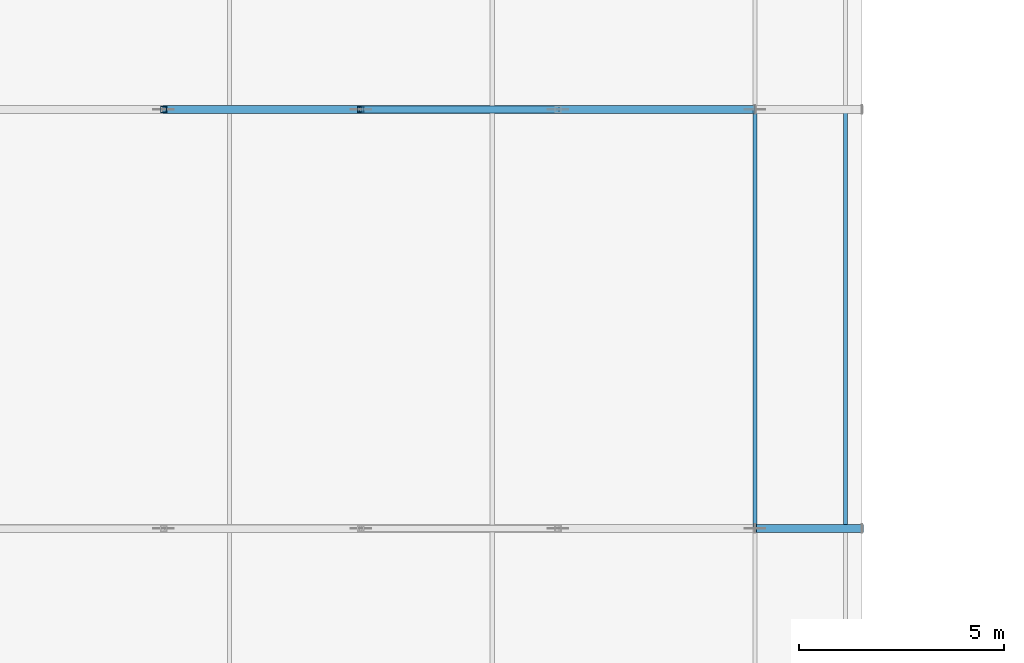
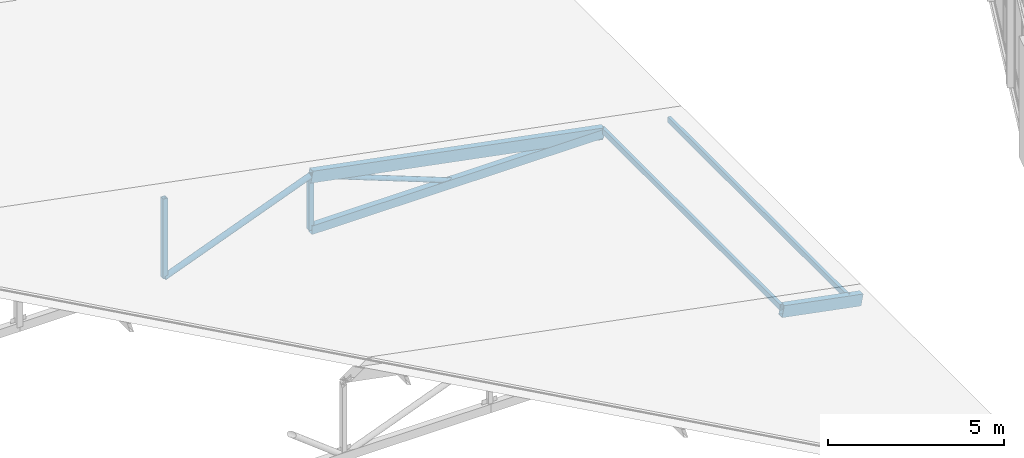
# One storey, part 61 of 200: 9 members.
"""IFC4 building model written with IfcOpenShell, lengths in metres."""

from ifc_helpers import new_model, si_unit, direction, frame, origin, origin_2d, place, context, subcontext, project, spatial, hollow_rectangle, hollow_circle, extrude, material, material_profile, profile_set, type_object, element, save


model = new_model("IFC4")

# Units and contexts
model_context = context("Model", 3, precision=1e-05, world=origin(), true_north=direction((0.0, 1.0)))
body_context = subcontext(model_context, "Body", "Model", "MODEL_VIEW")
ifc_project = project(units=[si_unit("LENGTHUNIT", "METRE"), si_unit("AREAUNIT", "SQUARE_METRE"), si_unit("VOLUMEUNIT", "CUBIC_METRE"), si_unit("PLANEANGLEUNIT", "RADIAN"), si_unit("MASSUNIT", "GRAM", prefix="KILO")], contexts=[model_context])

# Site, building, storey
site_placement = place(None, origin())
site = spatial("IfcSite", under=ifc_project, at=site_placement, CompositionType="ELEMENT")
building_placement = place(site_placement, origin())
building = spatial("IfcBuilding", under=site, at=building_placement, Name="Vondelvale Polytechnic", CompositionType="ELEMENT")
storey_placement = place(building_placement, frame((0.0, 0.0, 13.800048828125)))
storey = spatial("IfcBuildingStorey", under=building, at=storey_placement, Name="L03", CompositionType="ELEMENT", Elevation=13.800048828125)

# Members
ifc_material = material(Name="Steel C350L0 (fy = 350 MPa)", Category="steel")
ifc_material_profile_1 = material_profile(ifc_material, hollow_rectangle(XDim=0.10009765625, YDim=0.199951171875, WallThickness=0.006103515625, at=origin_2d()), Name="200x100x6.0RHS")
ifc_profile_set_1 = profile_set([ifc_material_profile_1], Name="Steel C350L0 (fy = 350 MPa)")
member_type_1 = type_object("IfcMemberType", Name="PURLIN RHS200", PredefinedType="PURLIN", material=ifc_profile_set_1)
for number, where, z_axis, x_axis, name in (
    (1, (48.0, 81.60009765625, -0.31884765625), (0.0, 1.0, 0.0), (-1.0, 0.0, 0.0), "Workshop roof purlin bay 4"),
    (2, (50.199951171875, 81.60009765625, -0.74267578125), (0.0, 1.0, 0.0), (-1.0, 0.0, 0.0), "Workshop roof purlin bay 4"),
):
    element("IfcMember", number, at=place(storey_placement, frame(where, z_axis=z_axis, x_axis=x_axis)), inside=storey, type_object=member_type_1, Name=name, PredefinedType="PURLIN", context=body_context, shape_type="SweptSolid", body=[
        extrude(hollow_rectangle(XDim=0.10009765625, YDim=0.199951171875, WallThickness=0.006103515625, at=origin_2d()), origin(), (0.0, 0.0, 1.0), 10.199951171875),
    ])
ifc_material_profile_2 = material_profile(ifc_material, hollow_rectangle(XDim=0.199951171875, YDim=0.300048828125, WallThickness=0.008056640625, at=origin_2d()), Name="300x200x8.0RHS")
ifc_profile_set_2 = profile_set([ifc_material_profile_2], Name="Steel C350L0 (fy = 350 MPa)")
member_type_2 = type_object("IfcMemberType", Name="ROOF TRUSS BOT CHORD 300RHS", PredefinedType="CHORD", material=ifc_profile_set_2)
member_1_placement = place(storey_placement, frame((38.39990234375, 91.800048828125, -0.420166015625), z_axis=(1.0, 0.0, 0.0), x_axis=(0.0, 1.0, 0.0)))
element("IfcMember", 3, at=member_1_placement, inside=storey, type_object=member_type_2, Name="ROOF TRUSS TR-05 bottom chord 3", PredefinedType="CHORD", context=body_context, shape_type="SweptSolid", body=[
    extrude(hollow_rectangle(XDim=0.199951171875, YDim=0.300048828125, WallThickness=0.008056640625, at=origin_2d()), origin(), (0.0, 0.0, 1.0), 9.60009765625),
])
ifc_material_profile_3 = material_profile(ifc_material, hollow_circle(Radius=0.084228515625, WallThickness=0.00634765625, at=origin_2d()), Name="168.3x6.4CHS")
ifc_profile_set_3 = profile_set([ifc_material_profile_3], Name="Steel C350L0 (fy = 350 MPa)")
member_type_3 = type_object("IfcMemberType", Name="ROOF TRUSS BRACE 168CHS", PredefinedType="BRACE", material=ifc_profile_set_3)
member_2_placement = place(storey_placement, frame((38.39990234375, 91.800048828125, 1.429931640625), z_axis=(0.933089727442, 0.0, -0.359643657726), x_axis=(0.0, 1.0, 0.0)))
element("IfcMember", 4, at=member_2_placement, inside=storey, type_object=member_type_3, Name="ROOF TRUSS TR-05 web diagonal 8", PredefinedType="BRACE", context=body_context, shape_type="SweptSolid", body=[
    extrude(hollow_circle(Radius=0.084228515625, WallThickness=0.00634765625, at=origin_2d()), origin(), (0.0, 0.0, 1.0), 5.144287109375),
])
ifc_material_profile_4 = material_profile(ifc_material, hollow_circle(Radius=0.096923828125, WallThickness=0.00634765625, at=origin_2d()), Name="193.7x6.4CHS")
ifc_profile_set_4 = profile_set([ifc_material_profile_4], Name="Steel C350L0 (fy = 350 MPa)")
member_type_4 = type_object("IfcMemberType", Name="ROOF TRUSS BRACE 193CHS", PredefinedType="BRACE", material=ifc_profile_set_4)
member_3_placement = place(storey_placement, frame((33.60009765625, 91.800048828125, -0.420166015625), z_axis=(0.933083588529, 0.0, 0.359659584632), x_axis=(0.0, 1.0, 0.0)))
element("IfcMember", 5, at=member_3_placement, inside=storey, type_object=member_type_4, Name="ROOF TRUSS TR-05 web diagonal 7", PredefinedType="BRACE", context=body_context, shape_type="SweptSolid", body=[
    extrude(hollow_circle(Radius=0.096923828125, WallThickness=0.00634765625, at=origin_2d()), origin(), (0.0, 0.0, 1.0), 5.14404296875),
])
ifc_material_profile_5 = material_profile(ifc_material, hollow_rectangle(XDim=0.14990234375, YDim=0.14990234375, WallThickness=0.006103515625, at=origin_2d()), Name="150x150x6.0SHS")
ifc_profile_set_5 = profile_set([ifc_material_profile_5], Name="Steel C350L0 (fy = 350 MPa)")
member_type_5 = type_object("IfcMemberType", Name="ROOF TRUSS POST 150SHS", PredefinedType="POST", material=ifc_profile_set_5)
member_4_placement = place(storey_placement, frame((33.60009765625, 91.800048828125, -0.420166015625), z_axis=(0.0, 0.0, 1.0), x_axis=(1.0, 0.0, 0.0)))
element("IfcMember", 6, at=member_4_placement, inside=storey, type_object=member_type_5, Name="ROOF TRUSS TR-05 vertical post 6", PredefinedType="POST", context=body_context, shape_type="SweptSolid", body=[
    extrude(hollow_rectangle(XDim=0.14990234375, YDim=0.14990234375, WallThickness=0.006103515625, at=origin_2d()), origin(), (0.0, 0.0, 1.0), 2.775146484375),
])
member_5_placement = place(storey_placement, frame((38.39990234375, 91.800048828125, -0.420166015625), z_axis=(0.0, 0.0, 1.0), x_axis=(1.0, 0.0, 0.0)))
element("IfcMember", 7, at=member_5_placement, inside=storey, type_object=member_type_5, Name="ROOF TRUSS TR-05 vertical post 7", PredefinedType="POST", context=body_context, shape_type="SweptSolid", body=[
    extrude(hollow_rectangle(XDim=0.14990234375, YDim=0.14990234375, WallThickness=0.006103515625, at=origin_2d()), origin(), (0.0, 0.0, 1.0), 1.85009765625),
])
ifc_material_profile_6 = material_profile(ifc_material, hollow_rectangle(XDim=0.199951171875, YDim=0.39990234375, WallThickness=0.010009765625, at=origin_2d()), Name="400x200x10.0RHS")
ifc_profile_set_6 = profile_set([ifc_material_profile_6], Name="Steel C350L0 (fy = 350 MPa)")
member_type_6 = type_object("IfcMemberType", Name="ROOF TRUSS TOP CHORD 400RHS", PredefinedType="CHORD", material=ifc_profile_set_6)
member_6_placement = place(storey_placement, frame((48.0, 81.60009765625, -0.420166015625), z_axis=(0.981939305936, 0.0, -0.189196193031), x_axis=(0.0, 1.0, 0.0)))
element("IfcMember", 8, at=member_6_placement, inside=storey, type_object=member_type_6, Name="ROOF TRUSS TR-04 top chord 6", PredefinedType="CHORD", context=body_context, shape_type="SweptSolid", body=[
    extrude(hollow_rectangle(XDim=0.199951171875, YDim=0.39990234375, WallThickness=0.010009765625, at=origin_2d()), origin(), (0.0, 0.0, 1.0), 2.64794921875),
])
member_7_placement = place(storey_placement, frame((38.39990234375, 91.800048828125, 1.429931640625), z_axis=(0.981931919064, 0.0, -0.189234527304), x_axis=(0.0, 1.0, 0.0)))
element("IfcMember", 9, at=member_7_placement, inside=storey, type_object=member_type_6, Name="ROOF TRUSS TR-05 top chord 5", PredefinedType="CHORD", context=body_context, shape_type="SweptSolid", body=[
    extrude(hollow_rectangle(XDim=0.199951171875, YDim=0.39990234375, WallThickness=0.010009765625, at=origin_2d()), origin(), (0.0, 0.0, 1.0), 9.77685546875),
])

save(model, "model.ifc")
